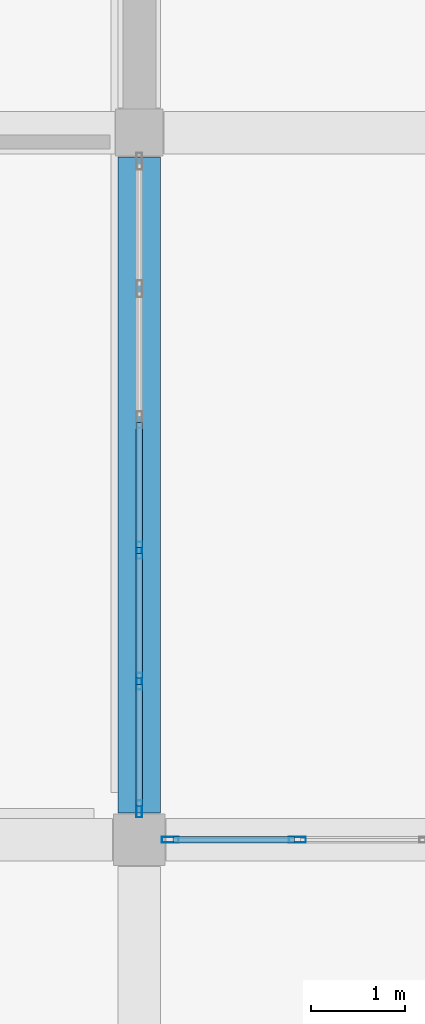
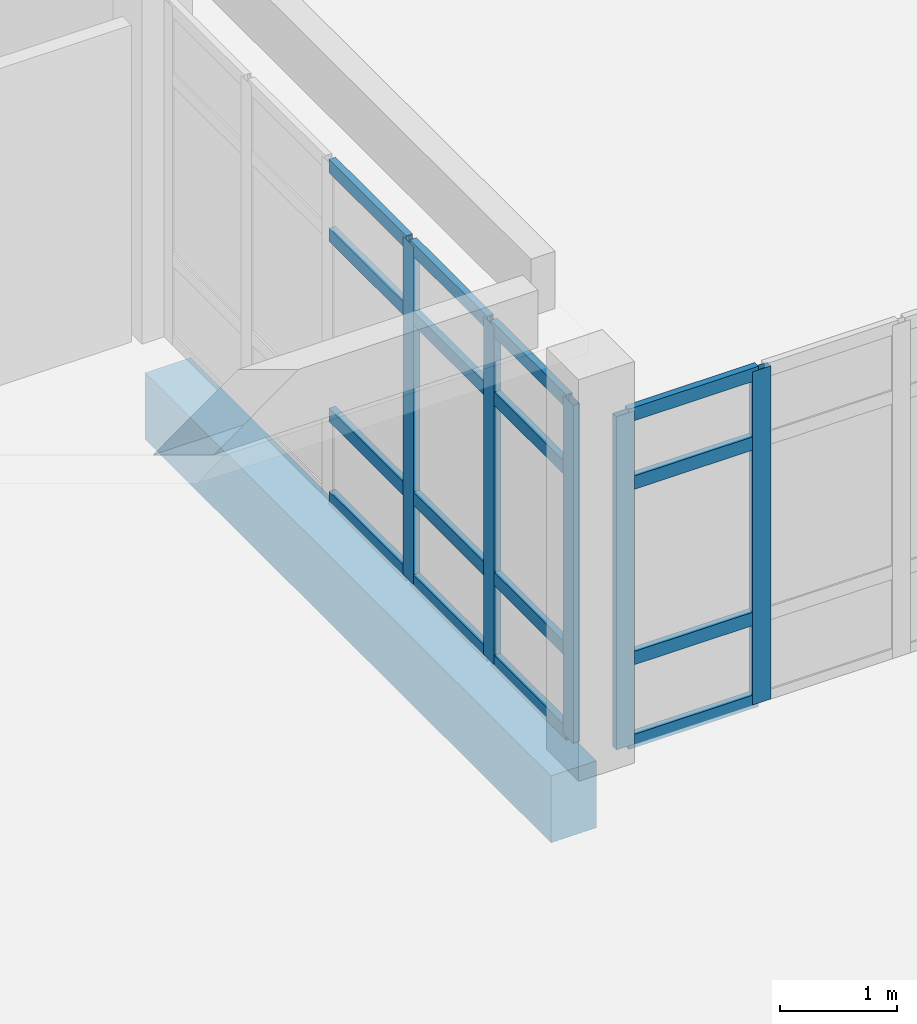
# One storey, part 41 of 164: 21 members, 1 beam, 2 elements without a shape of their own.
"""IFC4 building model written with IfcOpenShell, lengths in metres."""

from ifc_helpers import new_model, si_unit, direction, frame, origin, origin_2d, place, context, subcontext, project, spatial, rectangle, hollow_rectangle, extrude, material, layer, layer_set, material_profile, profile_set, type_object, element, aggregate, save


model = new_model("IFC4")

# Units and contexts
model_context = context("Model", 3, precision=1e-05, world=origin(), true_north=direction((0.0, 1.0)))
body_context = subcontext(model_context, "Body", "Model", "MODEL_VIEW")
ifc_project = project(units=[si_unit("LENGTHUNIT", "METRE"), si_unit("AREAUNIT", "SQUARE_METRE"), si_unit("VOLUMEUNIT", "CUBIC_METRE"), si_unit("PLANEANGLEUNIT", "RADIAN"), si_unit("MASSUNIT", "GRAM", prefix="KILO")], contexts=[model_context])

# Site, building, storey
site_placement = place(None, origin())
site = spatial("IfcSite", under=ifc_project, at=site_placement, CompositionType="ELEMENT")
building_placement = place(site_placement, origin())
building = spatial("IfcBuilding", under=site, at=building_placement, Name="Mawjan Specialist Oncology Clinic", CompositionType="ELEMENT")
storey_placement = place(building_placement, frame((0.0, 0.0, 5.0)))
storey = spatial("IfcBuildingStorey", under=building, at=storey_placement, Name="L01", CompositionType="ELEMENT", Elevation=5.0)

# Beam
ifc_material_1 = material(Name="Concrete C40/50", Category="concrete")
ifc_material_profile_1 = material_profile(ifc_material_1, rectangle(XDim=0.449951171875, YDim=0.699951171875, at=origin_2d()), Name="RC BM 450x700", Category="concrete")
ifc_profile_set_1 = profile_set([ifc_material_profile_1], Name="Concrete C40/50")
beam_type = type_object("IfcBeamType", Name="BM-450x700", PredefinedType="BEAM", material=ifc_profile_set_1)
beam_placement = place(storey_placement, frame((30.0, 61.0849609375, -0.64990234375), z_axis=(0.0, 1.0, 0.0), x_axis=(-1.0, 0.0, 0.0)))
element("IfcBeam", 1, at=beam_placement, inside=storey, type_object=beam_type, Name="L01 Collector Beam BM-L01-0460", PredefinedType="BEAM", context=body_context, shape_type="SweptSolid", body=[
    extrude(rectangle(XDim=0.449951171875, YDim=0.699951171875, at=origin_2d()), origin(), (0.0, 0.0, 1.0), 6.955078125),
])

# Curtain wall, members
ifc_material_2 = material(Name="Unitised spectrally selective aluminium curtain wall", Category="aluminium")
ifc_layer_1 = layer(ifc_material_2, 0.179931640625, Name="Unitised spectrally selective aluminium curtain wall", Category="aluminium")
ifc_layer_set_1 = layer_set([ifc_layer_1], Name="Unitised spectrally selective aluminium curtain wall")
curtain_wall_type_1 = type_object("IfcCurtainWallType", Name="CW-53", PredefinedType="NOTDEFINED", material=ifc_layer_set_1)
curtain_wall_1_placement = place(storey_placement, origin())
curtain_wall_1 = element("IfcCurtainWall", 2, at=curtain_wall_1_placement, inside=storey, type_object=curtain_wall_type_1, Name="L01 Unitised Curtain Wall CW-L01-156", PredefinedType="NOTDEFINED")
ifc_material_3 = material(Name="Thermally broken aluminium 6063-T6", Category="aluminium")
ifc_material_profile_2 = material_profile(ifc_material_3, hollow_rectangle(XDim=0.06494140625, YDim=0.179931640625, WallThickness=0.00390625, at=origin_2d()), Name="ALU MULLION 180x65x4", Category="aluminium")
ifc_profile_set_2 = profile_set([ifc_material_profile_2], Name="Thermally broken aluminium 6063-T6")
member_type_1 = type_object("IfcMemberType", Name="CW-M180", PredefinedType="MULLION", material=ifc_profile_set_2)
member_1_placement = place(storey_placement, frame((30.0, 63.868896484375, 0.0), z_axis=(0.0, 0.0, 1.0), x_axis=(1.0, 0.0, 0.0)))
member_1 = element("IfcMember", 3, at=member_1_placement, type_object=member_type_1, Name="CW-53 mullion 4", PredefinedType="MULLION", context=body_context, shape_type="SweptSolid", body=[
    extrude(hollow_rectangle(XDim=0.06494140625, YDim=0.179931640625, WallThickness=0.00390625, at=origin_2d()), origin(), (0.0, 0.0, 1.0), 3.534912109375),
])
member_2_placement = place(storey_placement, frame((30.0, 62.48193359375, 0.0), z_axis=(0.0, 0.0, 1.0), x_axis=(1.0, 0.0, 0.0)))
member_2 = element("IfcMember", 4, at=member_2_placement, type_object=member_type_1, Name="CW-53 mullion 5", PredefinedType="MULLION", context=body_context, shape_type="SweptSolid", body=[
    extrude(hollow_rectangle(XDim=0.06494140625, YDim=0.179931640625, WallThickness=0.00390625, at=origin_2d()), origin(), (0.0, 0.0, 1.0), 3.534912109375),
])
member_3_placement = place(storey_placement, frame((30.0, 61.12744140625, 0.0), z_axis=(0.0, 0.0, 1.0), x_axis=(1.0, 0.0, 0.0)))
member_3 = element("IfcMember", 5, at=member_3_placement, type_object=member_type_1, Name="CW-53 mullion 6", PredefinedType="MULLION", context=body_context, shape_type="SweptSolid", body=[
    extrude(hollow_rectangle(XDim=0.06494140625, YDim=0.179931640625, WallThickness=0.00390625, at=origin_2d()), origin(), (0.0, 0.0, 1.0), 3.534912109375),
])

ifc_material_4 = material(Name="Unitised spectrally selective aluminium curtain wall", Category="aluminium")
ifc_layer_2 = layer(ifc_material_4, 0.179931640625, Name="Unitised spectrally selective aluminium curtain wall", Category="aluminium")
ifc_layer_set_2 = layer_set([ifc_layer_2], Name="Unitised spectrally selective aluminium curtain wall")
curtain_wall_type_2 = type_object("IfcCurtainWallType", Name="CW-52", PredefinedType="NOTDEFINED", material=ifc_layer_set_2)
curtain_wall_2_placement = place(storey_placement, origin())
curtain_wall_2 = element("IfcCurtainWall", 6, at=curtain_wall_2_placement, inside=storey, type_object=curtain_wall_type_2, Name="L01 Unitised Curtain Wall CW-L01-157", PredefinedType="NOTDEFINED")
member_4_placement = place(storey_placement, frame((30.327392578125, 60.800048828125, 0.0), z_axis=(0.0, 0.0, 1.0), x_axis=(0.0, 1.0, 0.0)))
member_4 = element("IfcMember", 7, at=member_4_placement, type_object=member_type_1, Name="CW-52 mullion 1", PredefinedType="MULLION", context=body_context, shape_type="SweptSolid", body=[
    extrude(hollow_rectangle(XDim=0.06494140625, YDim=0.179931640625, WallThickness=0.00390625, at=origin_2d()), origin(), (0.0, 0.0, 1.0), 3.485107421875),
])
member_5_placement = place(storey_placement, frame((31.677001953125, 60.800048828125, 0.0), z_axis=(0.0, 0.0, 1.0), x_axis=(0.0, 1.0, 0.0)))
member_5 = element("IfcMember", 8, at=member_5_placement, type_object=member_type_1, Name="CW-52 mullion 2", PredefinedType="MULLION", context=body_context, shape_type="SweptSolid", body=[
    extrude(hollow_rectangle(XDim=0.06494140625, YDim=0.179931640625, WallThickness=0.00390625, at=origin_2d()), origin(), (0.0, 0.0, 1.0), 3.485107421875),
])

# Member
ifc_material_5 = material(Name="Thermally broken aluminium 6063-T6", Category="aluminium")
ifc_material_profile_3 = material_profile(ifc_material_5, hollow_rectangle(XDim=0.06494140625, YDim=0.139892578125, WallThickness=0.00390625, at=origin_2d()), Name="ALU TRANSOM 140x65x4", Category="aluminium")
ifc_profile_set_3 = profile_set([ifc_material_profile_3], Name="Thermally broken aluminium 6063-T6")
member_type_2 = type_object("IfcMemberType", Name="CW-T140", PredefinedType="USERDEFINED", material=ifc_profile_set_3)
member_6_placement = place(storey_placement, frame((30.0, 65.223388671875, 0.032470703125), z_axis=(0.0, -1.0, 0.0), x_axis=(1.0, 0.0, 0.0)))
member_6 = element("IfcMember", 9, at=member_6_placement, type_object=member_type_2, Name="CW-53 transom 3.1", ObjectType="TRANSOM", PredefinedType="USERDEFINED", context=body_context, shape_type="SweptSolid", body=[
    extrude(hollow_rectangle(XDim=0.06494140625, YDim=0.139892578125, WallThickness=0.00390625, at=origin_2d()), origin(), (0.0, 0.0, 1.0), 1.32177734375),
])

member_7_placement = place(storey_placement, frame((30.0, 65.223388671875, 0.89990234375), z_axis=(0.0, -1.0, 0.0), x_axis=(1.0, 0.0, 0.0)))
member_7 = element("IfcMember", 10, at=member_7_placement, type_object=member_type_2, Name="CW-53 transom 3.2", ObjectType="TRANSOM", PredefinedType="USERDEFINED", context=body_context, shape_type="SweptSolid", body=[
    extrude(hollow_rectangle(XDim=0.06494140625, YDim=0.139892578125, WallThickness=0.00390625, at=origin_2d()), origin(), (0.0, 0.0, 1.0), 1.32177734375),
])

member_8_placement = place(storey_placement, frame((30.0, 65.223388671875, 2.784912109375), z_axis=(0.0, -1.0, 0.0), x_axis=(1.0, 0.0, 0.0)))
member_8 = element("IfcMember", 11, at=member_8_placement, type_object=member_type_2, Name="CW-53 transom 3.3", ObjectType="TRANSOM", PredefinedType="USERDEFINED", context=body_context, shape_type="SweptSolid", body=[
    extrude(hollow_rectangle(XDim=0.06494140625, YDim=0.139892578125, WallThickness=0.00390625, at=origin_2d()), origin(), (0.0, 0.0, 1.0), 1.32177734375),
])

member_9_placement = place(storey_placement, frame((30.0, 65.223388671875, 3.50244140625), z_axis=(0.0, -1.0, 0.0), x_axis=(1.0, 0.0, 0.0)))
member_9 = element("IfcMember", 12, at=member_9_placement, type_object=member_type_2, Name="CW-53 transom 3.4", ObjectType="TRANSOM", PredefinedType="USERDEFINED", context=body_context, shape_type="SweptSolid", body=[
    extrude(hollow_rectangle(XDim=0.06494140625, YDim=0.139892578125, WallThickness=0.00390625, at=origin_2d()), origin(), (0.0, 0.0, 1.0), 1.32177734375),
])

member_10_placement = place(storey_placement, frame((30.0, 63.83642578125, 0.032470703125), z_axis=(0.0, -1.0, 0.0), x_axis=(1.0, 0.0, 0.0)))
member_10 = element("IfcMember", 13, at=member_10_placement, type_object=member_type_2, Name="CW-53 transom 4.1", ObjectType="TRANSOM", PredefinedType="USERDEFINED", context=body_context, shape_type="SweptSolid", body=[
    extrude(hollow_rectangle(XDim=0.06494140625, YDim=0.139892578125, WallThickness=0.00390625, at=origin_2d()), origin(), (0.0, 0.0, 1.0), 1.322021484375),
])

member_11_placement = place(storey_placement, frame((30.0, 63.83642578125, 0.89990234375), z_axis=(0.0, -1.0, 0.0), x_axis=(1.0, 0.0, 0.0)))
member_11 = element("IfcMember", 14, at=member_11_placement, type_object=member_type_2, Name="CW-53 transom 4.2", ObjectType="TRANSOM", PredefinedType="USERDEFINED", context=body_context, shape_type="SweptSolid", body=[
    extrude(hollow_rectangle(XDim=0.06494140625, YDim=0.139892578125, WallThickness=0.00390625, at=origin_2d()), origin(), (0.0, 0.0, 1.0), 1.322021484375),
])

member_12_placement = place(storey_placement, frame((30.0, 63.83642578125, 2.784912109375), z_axis=(0.0, -1.0, 0.0), x_axis=(1.0, 0.0, 0.0)))
member_12 = element("IfcMember", 15, at=member_12_placement, type_object=member_type_2, Name="CW-53 transom 4.3", ObjectType="TRANSOM", PredefinedType="USERDEFINED", context=body_context, shape_type="SweptSolid", body=[
    extrude(hollow_rectangle(XDim=0.06494140625, YDim=0.139892578125, WallThickness=0.00390625, at=origin_2d()), origin(), (0.0, 0.0, 1.0), 1.322021484375),
])

member_13_placement = place(storey_placement, frame((30.0, 63.83642578125, 3.50244140625), z_axis=(0.0, -1.0, 0.0), x_axis=(1.0, 0.0, 0.0)))
member_13 = element("IfcMember", 16, at=member_13_placement, type_object=member_type_2, Name="CW-53 transom 4.4", ObjectType="TRANSOM", PredefinedType="USERDEFINED", context=body_context, shape_type="SweptSolid", body=[
    extrude(hollow_rectangle(XDim=0.06494140625, YDim=0.139892578125, WallThickness=0.00390625, at=origin_2d()), origin(), (0.0, 0.0, 1.0), 1.322021484375),
])

member_14_placement = place(storey_placement, frame((30.0, 62.449462890625, 0.032470703125), z_axis=(0.0, -1.0, 0.0), x_axis=(1.0, 0.0, 0.0)))
member_14 = element("IfcMember", 17, at=member_14_placement, type_object=member_type_2, Name="CW-53 transom 5.1", ObjectType="TRANSOM", PredefinedType="USERDEFINED", context=body_context, shape_type="SweptSolid", body=[
    extrude(hollow_rectangle(XDim=0.06494140625, YDim=0.139892578125, WallThickness=0.00390625, at=origin_2d()), origin(), (0.0, 0.0, 1.0), 1.28955078125),
])

member_15_placement = place(storey_placement, frame((30.0, 62.449462890625, 0.89990234375), z_axis=(0.0, -1.0, 0.0), x_axis=(1.0, 0.0, 0.0)))
member_15 = element("IfcMember", 18, at=member_15_placement, type_object=member_type_2, Name="CW-53 transom 5.2", ObjectType="TRANSOM", PredefinedType="USERDEFINED", context=body_context, shape_type="SweptSolid", body=[
    extrude(hollow_rectangle(XDim=0.06494140625, YDim=0.139892578125, WallThickness=0.00390625, at=origin_2d()), origin(), (0.0, 0.0, 1.0), 1.28955078125),
])

member_16_placement = place(storey_placement, frame((30.0, 62.449462890625, 2.784912109375), z_axis=(0.0, -1.0, 0.0), x_axis=(1.0, 0.0, 0.0)))
member_16 = element("IfcMember", 19, at=member_16_placement, type_object=member_type_2, Name="CW-53 transom 5.3", ObjectType="TRANSOM", PredefinedType="USERDEFINED", context=body_context, shape_type="SweptSolid", body=[
    extrude(hollow_rectangle(XDim=0.06494140625, YDim=0.139892578125, WallThickness=0.00390625, at=origin_2d()), origin(), (0.0, 0.0, 1.0), 1.28955078125),
])

member_17_placement = place(storey_placement, frame((30.0, 62.449462890625, 3.50244140625), z_axis=(0.0, -1.0, 0.0), x_axis=(1.0, 0.0, 0.0)))
member_17 = element("IfcMember", 20, at=member_17_placement, type_object=member_type_2, Name="CW-53 transom 5.4", ObjectType="TRANSOM", PredefinedType="USERDEFINED", context=body_context, shape_type="SweptSolid", body=[
    extrude(hollow_rectangle(XDim=0.06494140625, YDim=0.139892578125, WallThickness=0.00390625, at=origin_2d()), origin(), (0.0, 0.0, 1.0), 1.28955078125),
])

aggregate(curtain_wall_1, [member_1, member_2, member_3, member_6, member_7, member_8, member_9, member_10, member_11, member_12, member_13, member_14, member_15, member_16, member_17])

member_18_placement = place(storey_placement, frame((30.360107421875, 60.800048828125, 0.032470703125), z_axis=(1.0, 0.0, 0.0), x_axis=(0.0, 1.0, 0.0)))
member_18 = element("IfcMember", 21, at=member_18_placement, type_object=member_type_2, Name="CW-52 transom 1.1", ObjectType="TRANSOM", PredefinedType="USERDEFINED", context=body_context, shape_type="SweptSolid", body=[
    extrude(hollow_rectangle(XDim=0.06494140625, YDim=0.139892578125, WallThickness=0.00390625, at=origin_2d()), origin(), (0.0, 0.0, 1.0), 1.284423828125),
])

member_19_placement = place(storey_placement, frame((30.360107421875, 60.800048828125, 0.89990234375), z_axis=(1.0, 0.0, 0.0), x_axis=(0.0, 1.0, 0.0)))
member_19 = element("IfcMember", 22, at=member_19_placement, type_object=member_type_2, Name="CW-52 transom 1.2", ObjectType="TRANSOM", PredefinedType="USERDEFINED", context=body_context, shape_type="SweptSolid", body=[
    extrude(hollow_rectangle(XDim=0.06494140625, YDim=0.139892578125, WallThickness=0.00390625, at=origin_2d()), origin(), (0.0, 0.0, 1.0), 1.284423828125),
])

member_20_placement = place(storey_placement, frame((30.360107421875, 60.800048828125, 2.735107421875), z_axis=(1.0, 0.0, 0.0), x_axis=(0.0, 1.0, 0.0)))
member_20 = element("IfcMember", 23, at=member_20_placement, type_object=member_type_2, Name="CW-52 transom 1.3", ObjectType="TRANSOM", PredefinedType="USERDEFINED", context=body_context, shape_type="SweptSolid", body=[
    extrude(hollow_rectangle(XDim=0.06494140625, YDim=0.139892578125, WallThickness=0.00390625, at=origin_2d()), origin(), (0.0, 0.0, 1.0), 1.284423828125),
])

member_21_placement = place(storey_placement, frame((30.360107421875, 60.800048828125, 3.452392578125), z_axis=(1.0, 0.0, 0.0), x_axis=(0.0, 1.0, 0.0)))
member_21 = element("IfcMember", 24, at=member_21_placement, type_object=member_type_2, Name="CW-52 transom 1.4", ObjectType="TRANSOM", PredefinedType="USERDEFINED", context=body_context, shape_type="SweptSolid", body=[
    extrude(hollow_rectangle(XDim=0.06494140625, YDim=0.139892578125, WallThickness=0.00390625, at=origin_2d()), origin(), (0.0, 0.0, 1.0), 1.284423828125),
])

aggregate(curtain_wall_2, [member_4, member_5, member_18, member_19, member_20, member_21])

save(model, "model.ifc")
